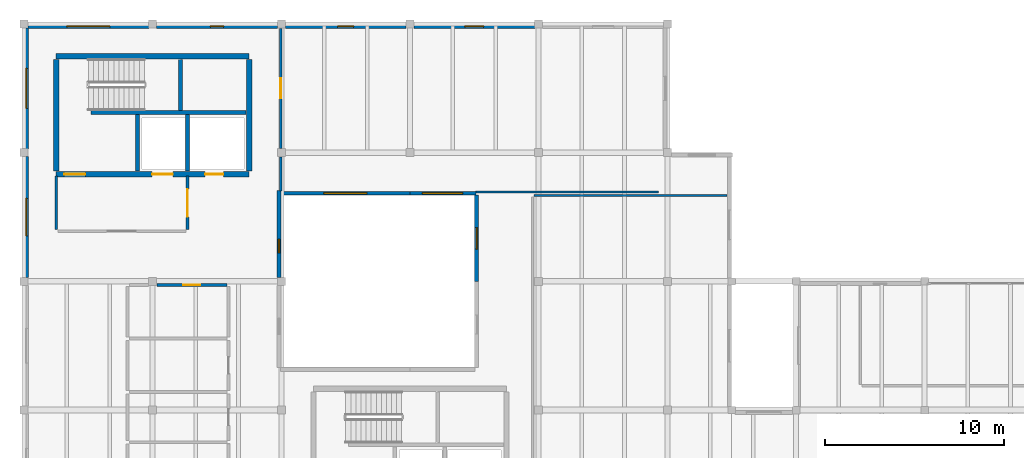
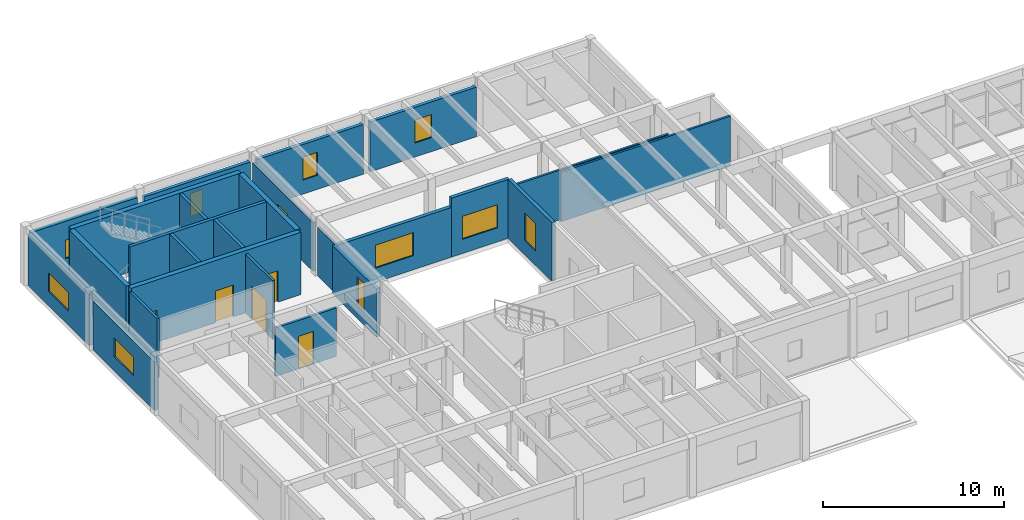
# One storey, part 59 of 68: 25 walls, 10 windows, 6 doors, 16 openings.
"""IFC4 building model written with IfcOpenShell, lengths in metres."""

from ifc_helpers import new_model, si_unit, direction, frame, frame_2d, origin, place, context, subcontext, project, spatial, rectangle, extrude, material, layer, layer_set, type_object, element, fill, save


model = new_model("IFC4")

# Units and contexts
model_context = context("Model", 3, precision=1e-05, world=origin(), true_north=direction((0.0, 1.0)))
body_context = subcontext(model_context, "Body", "Model", "MODEL_VIEW")
ifc_project = project(units=[si_unit("LENGTHUNIT", "METRE"), si_unit("AREAUNIT", "SQUARE_METRE"), si_unit("VOLUMEUNIT", "CUBIC_METRE"), si_unit("PLANEANGLEUNIT", "RADIAN"), si_unit("MASSUNIT", "GRAM", prefix="KILO")], contexts=[model_context])

# Site, building, storey
site_placement = place(None, origin())
site = spatial("IfcSite", under=ifc_project, at=site_placement, CompositionType="ELEMENT")
building_placement = place(site_placement, origin())
building = spatial("IfcBuilding", under=site, at=building_placement, Name="Bramvelor Terrace Health Centre", CompositionType="ELEMENT")
storey_placement = place(building_placement, frame((0.0, 0.0, 9.300048828125)))
storey = spatial("IfcBuildingStorey", under=building, at=storey_placement, Name="L03", CompositionType="ELEMENT", Elevation=9.300048828125)

# Walls
ifc_material_1 = material(Name="Acoustic clinical partition board", Category="gypsum")
ifc_layer_1 = layer(ifc_material_1, 0.1298828125)
ifc_layer_set_1 = layer_set([ifc_layer_1], Name="Acoustic clinical partition board")
wall_type_1 = type_object("IfcWallType", Name="WL-CLN-130", PredefinedType="PARTITIONING", material=ifc_layer_set_1)
wall_1_placement = place(storey_placement, frame((28.550048828125, 105.60009765625, 0.0), z_axis=(0.0, 0.0, 1.0), x_axis=(1.0, 0.0, 0.0)))
element("IfcWall", 1, at=wall_1_placement, inside=storey, type_object=wall_type_1, Name="L03 Interior Partition 256", PredefinedType="PARTITIONING", context=body_context, shape_type="SweptSolid", body=[
    extrude(rectangle(XDim=10.800048828125, YDim=0.1298828125, at=frame_2d((5.39990234375, 0.0))), origin(), (0.0, 0.0, 1.0), 3.349853515625),
])
wall_2_placement = place(storey_placement, frame((35.510009765625, 105.800048828125, 0.0), z_axis=(0.0, 0.0, 1.0), x_axis=(-1.0, 0.0, 0.0)))
element("IfcWall", 2, at=wall_2_placement, inside=storey, type_object=wall_type_1, Name="L03 Interior Partition 259", PredefinedType="PARTITIONING", context=body_context, shape_type="SweptSolid", body=[
    extrude(rectangle(XDim=10.24072265625, YDim=0.1298828125, at=frame_2d((5.120361328125, 0.0))), origin(), (0.0, 0.0, 1.0), 3.349853515625),
])
ifc_material_2 = material(Name="Fire-rated gypsum and mineral wool", Category="gypsum")
ifc_layer_2 = layer(ifc_material_2, 0.139892578125)
ifc_layer_set_2 = layer_set([ifc_layer_2], Name="Fire-rated gypsum and mineral wool")
wall_type_2 = type_object("IfcWallType", Name="WL-COR-140", PredefinedType="PARTITIONING", material=ifc_layer_set_2)
wall_3_placement = place(storey_placement, frame((14.3701171875, 105.868408203125, 0.0), z_axis=(0.0, 0.0, 1.0), x_axis=(0.0, 1.0, 0.0)))
element("IfcWall", 3, at=wall_3_placement, inside=storey, type_object=wall_type_2, Name="L03 Interior Partition 260", PredefinedType="PARTITIONING", context=body_context, shape_type="SweptSolid", body=[
    extrude(rectangle(XDim=1.8916015625, YDim=0.139892578125, at=frame_2d((0.94580078125, 0.0))), origin(), (0.0, 0.0, 1.0), 3.27001953125),
])

# Wall, opening, door
wall_4_placement = place(storey_placement, frame((14.3701171875, 108.239990234375, 0.0), z_axis=(0.0, 0.0, 1.0), x_axis=(0.0, 1.0, 0.0)))
wall_4 = element("IfcWall", 4, at=wall_4_placement, inside=storey, type_object=wall_type_2, Name="L03 Interior Partition 261", PredefinedType="PARTITIONING", context=body_context, shape_type="SweptSolid", body=[
    extrude(rectangle(XDim=6.7099609375, YDim=0.139892578125, at=frame_2d((3.35498046875, 0.0))), origin(), (0.0, 0.0, 1.0), 3.27001953125),
])
opening_1_placement = place(wall_4_placement, frame((2.794921875, 0.0, 0.0)))
opening_1 = element("IfcOpeningElement", 5, at=opening_1_placement, cuts=wall_4, Name="Opening FD-06", PredefinedType="OPENING", context=body_context, shape_type="SweptSolid", body=[
    extrude(rectangle(XDim=1.1201171875, YDim=2.139892578125, at=frame_2d((0.56005859375, 1.06982421875))), frame((0.0, 0.079833984375, 0.0), z_axis=(0.0, -1.0, 0.0), x_axis=(1.0, 0.0, 0.0)), (0.0, 0.0, 1.0), 0.159912109375),
])
ifc_material_3 = material(Name="Fire-rated steel and vision panel", Category="steel")
door_type_1 = type_object("IfcDoorType", Name="DR-FD60-112", OperationType="NOTDEFINED", PredefinedType="DOOR", material=ifc_material_3)
door_1_placement = place(opening_1_placement, origin())
door_1 = element("IfcDoor", 6, at=door_1_placement, inside=storey, type_object=door_type_1, Name="L03 Immunization Nurse Preparation Suite Fire Door", OperationType="SINGLE_SWING_LEFT", OverallHeight=2.139892578125, OverallWidth=1.1201171875, PredefinedType="DOOR", context=body_context, shape_type="SweptSolid", body=[
    extrude(rectangle(XDim=1.1201171875, YDim=2.139892578125, at=frame_2d((0.56005859375, 1.06982421875))), frame((0.0, 0.02490234375, 0.0), z_axis=(0.0, -1.0, 0.0), x_axis=(1.0, 0.0, 0.0)), (0.0, 0.0, 1.0), 0.050048828125),
])
fill(opening_1, door_1)

# Walls
ifc_material_4 = material(Name="Concrete C40/50", Category="concrete")
ifc_layer_3 = layer(ifc_material_4, 0.199951171875)
ifc_layer_set_3 = layer_set([ifc_layer_3], Name="Concrete C40/50")
wall_type_3 = type_object("IfcWallType", Name="WL-CORE-200", PredefinedType="SHEAR", material=ifc_layer_set_3)
wall_5_placement = place(storey_placement, frame((3.75, 110.25, 0.0), z_axis=(0.0, 0.0, 1.0), x_axis=(1.0, 0.0, 0.0)))
element("IfcWall", 7, at=wall_5_placement, inside=storey, type_object=wall_type_3, Name="C1 L03 Core Shear Wall", PredefinedType="SHEAR", context=body_context, shape_type="SweptSolid", body=[
    extrude(rectangle(XDim=8.669921875, YDim=0.199951171875, at=frame_2d((4.3349609375, 0.0))), origin(), (0.0, 0.0, 1.0), 4.199951171875),
])
wall_6_placement = place(storey_placement, frame((8.7548828125, 110.3701171875, 0.0), z_axis=(0.0, 0.0, 1.0), x_axis=(0.0, 1.0, 0.0)))
element("IfcWall", 8, at=wall_6_placement, inside=storey, type_object=wall_type_3, Name="C1 L03 Core Shear Wall", PredefinedType="SHEAR", context=body_context, shape_type="SweptSolid", body=[
    extrude(rectangle(XDim=2.849853515625, YDim=0.199951171875, at=frame_2d((1.4248046875, 0.0))), origin(), (0.0, 0.0, 1.0), 4.199951171875),
])
for number, where, z_axis, x_axis, name in (
    (9, (6.35009765625, 106.97998046875, 0.0), (0.0, 0.0, 1.0), (0.0, 1.0, 0.0), "C1 L03 Core Shear Wall"),
    (10, (9.14990234375, 106.97998046875, 0.0), (0.0, 0.0, 1.0), (0.0, 1.0, 0.0), "C1 L03 Lift Divider Wall"),
):
    element("IfcWall", number, at=place(storey_placement, frame(where, z_axis=z_axis, x_axis=x_axis)), inside=storey, type_object=wall_type_3, Name=name, PredefinedType="SHEAR", context=body_context, shape_type="SweptSolid", body=[
        extrude(rectangle(XDim=3.14990234375, YDim=0.199951171875, at=frame_2d((1.574951171875, 0.0))), origin(), (0.0, 0.0, 1.0), 4.199951171875),
    ])

# Wall, openings, doors
ifc_material_5 = material(Name="Concrete C40/50", Category="concrete")
ifc_layer_4 = layer(ifc_material_5, 0.300048828125)
ifc_layer_set_4 = layer_set([ifc_layer_4], Name="Concrete C40/50")
wall_type_4 = type_object("IfcWallType", Name="WL-CORE-300", PredefinedType="SHEAR", material=ifc_layer_set_4)
wall_7_placement = place(storey_placement, frame((1.800048828125, 106.800048828125, 0.0), z_axis=(0.0, 0.0, 1.0), x_axis=(1.0, 0.0, 0.0)))
wall_7 = element("IfcWall", 11, at=wall_7_placement, inside=storey, type_object=wall_type_4, Name="C1 L03 Core Shear Wall", PredefinedType="SHEAR", context=body_context, shape_type="SweptSolid", body=[
    extrude(rectangle(XDim=10.800048828125, YDim=0.300048828125, at=frame_2d((5.39990234375, 0.0))), origin(), (0.0, 0.0, 1.0), 4.199951171875),
])
opening_2_placement = place(wall_7_placement, frame((0.449951171875, 0.0, 0.0)))
opening_2 = element("IfcOpeningElement", 12, at=opening_2_placement, cuts=wall_7, Name="Opening FD-02", PredefinedType="OPENING", context=body_context, shape_type="SweptSolid", body=[
    extrude(rectangle(XDim=1.179931640625, YDim=2.159912109375, at=frame_2d((0.58984375, 1.080078125))), frame((0.0, 0.159912109375, 0.0), z_axis=(0.0, -1.0, 0.0), x_axis=(1.0, 0.0, 0.0)), (0.0, 0.0, 1.0), 0.320068359375),
])
opening_3_placement = place(wall_7_placement, frame((5.375, 0.0, 0.0)))
opening_3 = element("IfcOpeningElement", 13, at=opening_3_placement, cuts=wall_7, Name="Opening LD-1", PredefinedType="OPENING", context=body_context, shape_type="SweptSolid", body=[
    extrude(rectangle(XDim=1.14990234375, YDim=2.14990234375, at=frame_2d((0.574951171875, 1.074951171875))), frame((0.0, 0.159912109375, 0.0), z_axis=(0.0, -1.0, 0.0), x_axis=(1.0, 0.0, 0.0)), (0.0, 0.0, 1.0), 0.320068359375),
])
opening_4_placement = place(wall_7_placement, frame((8.340087890625, 0.0, 0.0)))
opening_4 = element("IfcOpeningElement", 14, at=opening_4_placement, cuts=wall_7, Name="Opening LD-2", PredefinedType="OPENING", context=body_context, shape_type="SweptSolid", body=[
    extrude(rectangle(XDim=1.02001953125, YDim=2.1201171875, at=frame_2d((0.510009765625, 1.06005859375))), frame((0.0, 0.159912109375, 0.0), z_axis=(0.0, -1.0, 0.0), x_axis=(1.0, 0.0, 0.0)), (0.0, 0.0, 1.0), 0.320068359375),
])
ifc_material_6 = material(Name="Fire-rated steel and vision panel", Category="steel")
door_type_2 = type_object("IfcDoorType", Name="DR-FD90-118", OperationType="NOTDEFINED", PredefinedType="DOOR", material=ifc_material_6)
door_2_placement = place(opening_2_placement, origin())
door_2 = element("IfcDoor", 15, at=door_2_placement, inside=storey, type_object=door_type_2, Name="C1 L03 Core Stair Fire Door", OperationType="SINGLE_SWING_LEFT", OverallHeight=2.159912109375, OverallWidth=1.179931640625, PredefinedType="DOOR", context=body_context, shape_type="SweptSolid", body=[
    extrude(rectangle(XDim=1.179931640625, YDim=2.159912109375, at=frame_2d((0.58984375, 1.080078125))), frame((0.0, 0.02490234375, 0.0), z_axis=(0.0, -1.0, 0.0), x_axis=(1.0, 0.0, 0.0)), (0.0, 0.0, 1.0), 0.050048828125),
])
fill(opening_2, door_2)
ifc_material_7 = material(Name="Brushed stainless steel 316", Category="steel")
door_type_3 = type_object("IfcDoorType", Name="DR-LIFT-FF115", OperationType="DOUBLE_DOOR_SLIDING", PredefinedType="DOOR", material=ifc_material_7)
door_3_placement = place(opening_3_placement, origin())
door_3 = element("IfcDoor", 16, at=door_3_placement, inside=storey, type_object=door_type_3, Name="Lift LF-01 L03 Sliding Landing Door", OperationType="DOUBLE_DOOR_SLIDING", OverallHeight=2.14990234375, OverallWidth=1.14990234375, PredefinedType="DOOR", context=body_context, shape_type="SweptSolid", body=[
    extrude(rectangle(XDim=1.14990234375, YDim=2.14990234375, at=frame_2d((0.574951171875, 1.074951171875))), frame((0.0, 0.02490234375, 0.0), z_axis=(0.0, -1.0, 0.0), x_axis=(1.0, 0.0, 0.0)), (0.0, 0.0, 1.0), 0.050048828125),
])
fill(opening_3, door_3)
ifc_material_8 = material(Name="Brushed stainless steel 316", Category="steel")
door_type_4 = type_object("IfcDoorType", Name="DR-LIFT-PS102", OperationType="SLIDING_TO_LEFT", PredefinedType="DOOR", material=ifc_material_8)
door_4_placement = place(opening_4_placement, origin())
door_4 = element("IfcDoor", 17, at=door_4_placement, inside=storey, type_object=door_type_4, Name="Lift LP-01 L03 Sliding Landing Door", OperationType="SLIDING_TO_LEFT", OverallHeight=2.1201171875, OverallWidth=1.02001953125, PredefinedType="DOOR", context=body_context, shape_type="SweptSolid", body=[
    extrude(rectangle(XDim=1.02001953125, YDim=2.1201171875, at=frame_2d((0.510009765625, 1.06005859375))), frame((0.0, 0.02490234375, 0.0), z_axis=(0.0, -1.0, 0.0), x_axis=(1.0, 0.0, 0.0)), (0.0, 0.0, 1.0), 0.050048828125),
])
fill(opening_4, door_4)

# Walls
wall_8_placement = place(storey_placement, frame((1.800048828125, 113.39990234375, 0.0), z_axis=(0.0, 0.0, 1.0), x_axis=(1.0, 0.0, 0.0)))
element("IfcWall", 18, at=wall_8_placement, inside=storey, type_object=wall_type_4, Name="C1 L03 Core Shear Wall", PredefinedType="SHEAR", context=body_context, shape_type="SweptSolid", body=[
    extrude(rectangle(XDim=10.800048828125, YDim=0.300048828125, at=frame_2d((5.39990234375, 0.0))), origin(), (0.0, 0.0, 1.0), 4.199951171875),
])
for number, where, z_axis, x_axis, name in (
    (19, (1.800048828125, 106.97998046875, 0.0), (0.0, 0.0, 1.0), (0.0, 1.0, 0.0), "C1 L03 Core Shear Wall"),
    (20, (12.60009765625, 106.97998046875, 0.0), (0.0, 0.0, 1.0), (0.0, 1.0, 0.0), "C1 L03 Core Shear Wall"),
):
    element("IfcWall", number, at=place(storey_placement, frame(where, z_axis=z_axis, x_axis=x_axis)), inside=storey, type_object=wall_type_4, Name=name, PredefinedType="SHEAR", context=body_context, shape_type="SweptSolid", body=[
        extrude(rectangle(XDim=6.239990234375, YDim=0.300048828125, at=frame_2d((3.1201171875, 0.0))), origin(), (0.0, 0.0, 1.0), 4.199951171875),
    ])

# Wall, opening, window
ifc_material_9 = material(Name="Cross-laminated timber C24", Category="wood")
ifc_layer_5 = layer(ifc_material_9, 0.219970703125)
ifc_layer_set_5 = layer_set([ifc_layer_5], Name="Cross-laminated timber C24")
wall_type_5 = type_object("IfcWallType", Name="WL-EXT-CLT220", PredefinedType="SOLIDWALL", material=ifc_layer_set_5)
wall_9_placement = place(storey_placement, frame((0.1298828125, 101.02001953125, 0.0), z_axis=(0.0, 0.0, 1.0), x_axis=(0.0, 1.0, 0.0)))
wall_9 = element("IfcWall", 21, at=wall_9_placement, inside=storey, type_object=wall_type_5, Name="L03 Exterior Facade Wall 74", PredefinedType="SOLIDWALL", context=body_context, shape_type="SweptSolid", body=[
    extrude(rectangle(XDim=6.760009765625, YDim=0.219970703125, at=frame_2d((3.3798828125, 0.0))), origin(), (0.0, 0.0, 1.0), 3.27001953125),
])
opening_5_placement = place(wall_9_placement, frame((2.330078125, 0.0, 0.949951171875)))
opening_5 = element("IfcOpeningElement", 22, at=opening_5_placement, cuts=wall_9, Name="Opening WN-34", PredefinedType="OPENING", context=body_context, shape_type="SweptSolid", body=[
    extrude(rectangle(XDim=2.10009765625, YDim=1.25, at=frame_2d((1.050048828125, 0.625))), frame((0.0, 0.119873046875, 0.0), z_axis=(0.0, -1.0, 0.0), x_axis=(1.0, 0.0, 0.0)), (0.0, 0.0, 1.0), 0.239990234375),
])
ifc_material_10 = material(Name="Double low-E laminated glass", Category="glass")
window_type_1 = type_object("IfcWindowType", Name="WIN-EXT-34", PartitioningType="SINGLE_PANEL", PredefinedType="WINDOW", material=ifc_material_10)
window_1_placement = place(opening_5_placement, origin())
window_1 = element("IfcWindow", 23, at=window_1_placement, inside=storey, type_object=window_type_1, Name="L03 Scheduled Clinical Window 154", OverallHeight=1.25, OverallWidth=2.10009765625, PartitioningType="SINGLE_PANEL", PredefinedType="WINDOW", context=body_context, shape_type="SweptSolid", body=[
    extrude(rectangle(XDim=2.10009765625, YDim=1.25, at=frame_2d((1.050048828125, 0.625))), frame((0.0, 0.030029296875, 0.0), z_axis=(0.0, -1.0, 0.0), x_axis=(1.0, 0.0, 0.0)), (0.0, 0.0, 1.0), 0.06005859375),
])
fill(opening_5, window_1)

wall_10_placement = place(storey_placement, frame((0.1298828125, 108.219970703125, 0.0), z_axis=(0.0, 0.0, 1.0), x_axis=(0.0, 1.0, 0.0)))
wall_10 = element("IfcWall", 24, at=wall_10_placement, inside=storey, type_object=wall_type_5, Name="L03 Exterior Facade Wall 75", PredefinedType="SOLIDWALL", context=body_context, shape_type="SweptSolid", body=[
    extrude(rectangle(XDim=6.760009765625, YDim=0.219970703125, at=frame_2d((3.3798828125, 0.0))), origin(), (0.0, 0.0, 1.0), 3.469970703125),
])
opening_6_placement = place(wall_10_placement, frame((2.2548828125, 0.0, 0.949951171875)))
opening_6 = element("IfcOpeningElement", 25, at=opening_6_placement, cuts=wall_10, Name="Opening WN-35", PredefinedType="OPENING", context=body_context, shape_type="SweptSolid", body=[
    extrude(rectangle(XDim=2.25, YDim=1.25, at=frame_2d((1.125, 0.625))), frame((0.0, 0.119873046875, 0.0), z_axis=(0.0, -1.0, 0.0), x_axis=(1.0, 0.0, 0.0)), (0.0, 0.0, 1.0), 0.239990234375),
])
ifc_material_11 = material(Name="Double low-E laminated glass", Category="glass")
window_type_2 = type_object("IfcWindowType", Name="WIN-EXT-35", PartitioningType="SINGLE_PANEL", PredefinedType="WINDOW", material=ifc_material_11)
window_2_placement = place(opening_6_placement, origin())
window_2 = element("IfcWindow", 26, at=window_2_placement, inside=storey, type_object=window_type_2, Name="L03 Scheduled Clinical Window 155", OverallHeight=1.25, OverallWidth=2.25, PartitioningType="SINGLE_PANEL", PredefinedType="WINDOW", context=body_context, shape_type="SweptSolid", body=[
    extrude(rectangle(XDim=2.25, YDim=1.25, at=frame_2d((1.125, 0.625))), frame((0.0, 0.030029296875, 0.0), z_axis=(0.0, -1.0, 0.0), x_axis=(1.0, 0.0, 0.0)), (0.0, 0.0, 1.0), 0.06005859375),
])
fill(opening_6, window_2)

wall_11_placement = place(storey_placement, frame((0.219970703125, 115.070068359375, 0.0), z_axis=(0.0, 0.0, 1.0), x_axis=(1.0, 0.0, 0.0)))
wall_11 = element("IfcWall", 27, at=wall_11_placement, inside=storey, type_object=wall_type_5, Name="L03 Exterior Facade Wall 76", PredefinedType="SOLIDWALL", context=body_context, shape_type="SweptSolid", body=[
    extrude(rectangle(XDim=6.760009765625, YDim=0.219970703125, at=frame_2d((3.3798828125, 0.0))), origin(), (0.0, 0.0, 1.0), 3.469970703125),
])
opening_7_placement = place(wall_11_placement, frame((2.179931640625, 0.0, 0.949951171875)))
opening_7 = element("IfcOpeningElement", 28, at=opening_7_placement, cuts=wall_11, Name="Opening WN-36", PredefinedType="OPENING", context=body_context, shape_type="SweptSolid", body=[
    extrude(rectangle(XDim=2.39990234375, YDim=1.25, at=frame_2d((1.199951171875, 0.625))), frame((0.0, 0.119873046875, 0.0), z_axis=(0.0, -1.0, 0.0), x_axis=(1.0, 0.0, 0.0)), (0.0, 0.0, 1.0), 0.239990234375),
])
ifc_material_12 = material(Name="Double low-E laminated glass", Category="glass")
window_type_3 = type_object("IfcWindowType", Name="WIN-EXT-36", PartitioningType="SINGLE_PANEL", PredefinedType="WINDOW", material=ifc_material_12)
window_3_placement = place(opening_7_placement, origin())
window_3 = element("IfcWindow", 29, at=window_3_placement, inside=storey, type_object=window_type_3, Name="L03 Scheduled Clinical Window 156", OverallHeight=1.25, OverallWidth=2.39990234375, PartitioningType="SINGLE_PANEL", PredefinedType="WINDOW", context=body_context, shape_type="SweptSolid", body=[
    extrude(rectangle(XDim=2.39990234375, YDim=1.25, at=frame_2d((1.199951171875, 0.625))), frame((0.0, 0.030029296875, 0.0), z_axis=(0.0, -1.0, 0.0), x_axis=(1.0, 0.0, 0.0)), (0.0, 0.0, 1.0), 0.06005859375),
])
fill(opening_7, window_3)

wall_12_placement = place(storey_placement, frame((7.419921875, 115.070068359375, 0.0), z_axis=(0.0, 0.0, 1.0), x_axis=(1.0, 0.0, 0.0)))
wall_12 = element("IfcWall", 30, at=wall_12_placement, inside=storey, type_object=wall_type_5, Name="L03 Exterior Facade Wall 77", PredefinedType="SOLIDWALL", context=body_context, shape_type="SweptSolid", body=[
    extrude(rectangle(XDim=6.760009765625, YDim=0.219970703125, at=frame_2d((3.3798828125, 0.0))), origin(), (0.0, 0.0, 1.0), 3.349853515625),
])
opening_8_placement = place(wall_12_placement, frame((3.0048828125, 0.0, 0.949951171875)))
opening_8 = element("IfcOpeningElement", 31, at=opening_8_placement, cuts=wall_12, Name="Opening WN-37", PredefinedType="OPENING", context=body_context, shape_type="SweptSolid", body=[
    extrude(rectangle(XDim=0.75, YDim=1.550048828125, at=frame_2d((0.375, 0.77490234375))), frame((0.0, 0.119873046875, 0.0), z_axis=(0.0, -1.0, 0.0), x_axis=(1.0, 0.0, 0.0)), (0.0, 0.0, 1.0), 0.239990234375),
])
ifc_material_13 = material(Name="Double low-E laminated glass", Category="glass")
window_type_4 = type_object("IfcWindowType", Name="WIN-EXT-37", PartitioningType="SINGLE_PANEL", PredefinedType="WINDOW", material=ifc_material_13)
window_4_placement = place(opening_8_placement, origin())
window_4 = element("IfcWindow", 32, at=window_4_placement, inside=storey, type_object=window_type_4, Name="L03 Scheduled Clinical Window 157", OverallHeight=1.550048828125, OverallWidth=0.75, PartitioningType="SINGLE_PANEL", PredefinedType="WINDOW", context=body_context, shape_type="SweptSolid", body=[
    extrude(rectangle(XDim=0.75, YDim=1.550048828125, at=frame_2d((0.375, 0.77490234375))), frame((0.0, 0.030029296875, 0.0), z_axis=(0.0, -1.0, 0.0), x_axis=(1.0, 0.0, 0.0)), (0.0, 0.0, 1.0), 0.06005859375),
])
fill(opening_8, window_4)

wall_13_placement = place(storey_placement, frame((14.6201171875, 115.070068359375, 0.0), z_axis=(0.0, 0.0, 1.0), x_axis=(1.0, 0.0, 0.0)))
wall_13 = element("IfcWall", 33, at=wall_13_placement, inside=storey, type_object=wall_type_5, Name="L03 Exterior Facade Wall 78", PredefinedType="SOLIDWALL", context=body_context, shape_type="SweptSolid", body=[
    extrude(rectangle(XDim=6.759765625, YDim=0.219970703125, at=frame_2d((3.3798828125, 0.0))), origin(), (0.0, 0.0, 1.0), 3.349853515625),
])
opening_9_placement = place(wall_13_placement, frame((2.929931640625, 0.0, 0.949951171875)))
opening_9 = element("IfcOpeningElement", 34, at=opening_9_placement, cuts=wall_13, Name="Opening WN-38", PredefinedType="OPENING", context=body_context, shape_type="SweptSolid", body=[
    extrude(rectangle(XDim=0.89990234375, YDim=1.550048828125, at=frame_2d((0.449951171875, 0.77490234375))), frame((0.0, 0.119873046875, 0.0), z_axis=(0.0, -1.0, 0.0), x_axis=(1.0, 0.0, 0.0)), (0.0, 0.0, 1.0), 0.239990234375),
])
ifc_material_14 = material(Name="Double low-E laminated glass", Category="glass")
window_type_5 = type_object("IfcWindowType", Name="WIN-EXT-38", PartitioningType="SINGLE_PANEL", PredefinedType="WINDOW", material=ifc_material_14)
window_5_placement = place(opening_9_placement, origin())
window_5 = element("IfcWindow", 35, at=window_5_placement, inside=storey, type_object=window_type_5, Name="L03 Scheduled Clinical Window 158", OverallHeight=1.550048828125, OverallWidth=0.89990234375, PartitioningType="SINGLE_PANEL", PredefinedType="WINDOW", context=body_context, shape_type="SweptSolid", body=[
    extrude(rectangle(XDim=0.89990234375, YDim=1.550048828125, at=frame_2d((0.449951171875, 0.77490234375))), frame((0.0, 0.030029296875, 0.0), z_axis=(0.0, -1.0, 0.0), x_axis=(1.0, 0.0, 0.0)), (0.0, 0.0, 1.0), 0.06005859375),
])
fill(opening_9, window_5)

wall_14_placement = place(storey_placement, frame((21.820068359375, 115.070068359375, 0.0), z_axis=(0.0, 0.0, 1.0), x_axis=(1.0, 0.0, 0.0)))
wall_14 = element("IfcWall", 36, at=wall_14_placement, inside=storey, type_object=wall_type_5, Name="L03 Exterior Facade Wall 79", PredefinedType="SOLIDWALL", context=body_context, shape_type="SweptSolid", body=[
    extrude(rectangle(XDim=6.760009765625, YDim=0.219970703125, at=frame_2d((3.3798828125, 0.0))), origin(), (0.0, 0.0, 1.0), 3.349853515625),
])
opening_10_placement = place(wall_14_placement, frame((2.85498046875, 0.0, 0.949951171875)))
opening_10 = element("IfcOpeningElement", 37, at=opening_10_placement, cuts=wall_14, Name="Opening WN-39", PredefinedType="OPENING", context=body_context, shape_type="SweptSolid", body=[
    extrude(rectangle(XDim=1.050048828125, YDim=1.550048828125, at=frame_2d((0.52490234375, 0.77490234375))), frame((0.0, 0.119873046875, 0.0), z_axis=(0.0, -1.0, 0.0), x_axis=(1.0, 0.0, 0.0)), (0.0, 0.0, 1.0), 0.239990234375),
])
ifc_material_15 = material(Name="Double low-E laminated glass", Category="glass")
window_type_6 = type_object("IfcWindowType", Name="WIN-EXT-39", PartitioningType="SINGLE_PANEL", PredefinedType="WINDOW", material=ifc_material_15)
window_6_placement = place(opening_10_placement, origin())
window_6 = element("IfcWindow", 38, at=window_6_placement, inside=storey, type_object=window_type_6, Name="L03 Scheduled Clinical Window 159", OverallHeight=1.550048828125, OverallWidth=1.050048828125, PartitioningType="SINGLE_PANEL", PredefinedType="WINDOW", context=body_context, shape_type="SweptSolid", body=[
    extrude(rectangle(XDim=1.050048828125, YDim=1.550048828125, at=frame_2d((0.52490234375, 0.77490234375))), frame((0.0, 0.030029296875, 0.0), z_axis=(0.0, -1.0, 0.0), x_axis=(1.0, 0.0, 0.0)), (0.0, 0.0, 1.0), 0.06005859375),
])
fill(opening_10, window_6)

wall_15_placement = place(storey_placement, frame((25.281005859375, 105.72998046875, 0.0), z_axis=(0.0, 0.0, 1.0), x_axis=(-1.0, 0.0, 0.0)))
wall_15 = element("IfcWall", 39, at=wall_15_placement, inside=storey, type_object=wall_type_5, Name="L03 Exterior Facade Wall 87", PredefinedType="SOLIDWALL", context=body_context, shape_type="SweptSolid", body=[
    extrude(rectangle(XDim=3.680908203125, YDim=0.219970703125, at=frame_2d((1.84033203125, 0.0))), origin(), (0.0, 0.0, 1.0), 3.969970703125),
])
opening_11_placement = place(wall_15_placement, frame((0.736083984375, 0.0, 0.949951171875)))
opening_11 = element("IfcOpeningElement", 40, at=opening_11_placement, cuts=wall_15, Name="Opening WN-47", PredefinedType="OPENING", context=body_context, shape_type="SweptSolid", body=[
    extrude(rectangle(XDim=2.25, YDim=1.550048828125, at=frame_2d((1.125, 0.77490234375))), frame((0.0, 0.119873046875, 0.0), z_axis=(0.0, -1.0, 0.0), x_axis=(1.0, 0.0, 0.0)), (0.0, 0.0, 1.0), 0.239990234375),
])
ifc_material_16 = material(Name="Double low-E laminated glass", Category="glass")
window_type_7 = type_object("IfcWindowType", Name="WIN-EXT-47", PartitioningType="SINGLE_PANEL", PredefinedType="WINDOW", material=ifc_material_16)
window_7_placement = place(opening_11_placement, origin())
window_7 = element("IfcWindow", 41, at=window_7_placement, inside=storey, type_object=window_type_7, Name="L03 Scheduled Clinical Window 167", OverallHeight=1.550048828125, OverallWidth=2.25, PartitioningType="SINGLE_PANEL", PredefinedType="WINDOW", context=body_context, shape_type="SweptSolid", body=[
    extrude(rectangle(XDim=2.25, YDim=1.550048828125, at=frame_2d((1.125, 0.77490234375))), frame((0.0, 0.030029296875, 0.0), z_axis=(0.0, -1.0, 0.0), x_axis=(1.0, 0.0, 0.0)), (0.0, 0.0, 1.0), 0.06005859375),
])
fill(opening_11, window_7)

wall_16_placement = place(storey_placement, frame((21.60009765625, 105.72998046875, 0.0), z_axis=(0.0, 0.0, 1.0), x_axis=(-1.0, 0.0, 0.0)))
wall_16 = element("IfcWall", 42, at=wall_16_placement, inside=storey, type_object=wall_type_5, Name="L03 Exterior Facade Wall 88", PredefinedType="SOLIDWALL", context=body_context, shape_type="SweptSolid", body=[
    extrude(rectangle(XDim=7.239990234375, YDim=0.219970703125, at=frame_2d((3.6201171875, 0.0))), origin(), (0.0, 0.0, 1.0), 3.349853515625),
])
opening_12_placement = place(wall_16_placement, frame((2.419921875, 0.0, 0.949951171875)))
opening_12 = element("IfcOpeningElement", 43, at=opening_12_placement, cuts=wall_16, Name="Opening WN-48", PredefinedType="OPENING", context=body_context, shape_type="SweptSolid", body=[
    extrude(rectangle(XDim=2.39990234375, YDim=1.550048828125, at=frame_2d((1.199951171875, 0.77490234375))), frame((0.0, 0.119873046875, 0.0), z_axis=(0.0, -1.0, 0.0), x_axis=(1.0, 0.0, 0.0)), (0.0, 0.0, 1.0), 0.239990234375),
])
ifc_material_17 = material(Name="Double low-E laminated glass", Category="glass")
window_type_8 = type_object("IfcWindowType", Name="WIN-EXT-48", PartitioningType="SINGLE_PANEL", PredefinedType="WINDOW", material=ifc_material_17)
window_8_placement = place(opening_12_placement, origin())
window_8 = element("IfcWindow", 44, at=window_8_placement, inside=storey, type_object=window_type_8, Name="L03 Scheduled Clinical Window 168", OverallHeight=1.550048828125, OverallWidth=2.39990234375, PartitioningType="SINGLE_PANEL", PredefinedType="WINDOW", context=body_context, shape_type="SweptSolid", body=[
    extrude(rectangle(XDim=2.39990234375, YDim=1.550048828125, at=frame_2d((1.199951171875, 0.77490234375))), frame((0.0, 0.030029296875, 0.0), z_axis=(0.0, -1.0, 0.0), x_axis=(1.0, 0.0, 0.0)), (0.0, 0.0, 1.0), 0.06005859375),
])
fill(opening_12, window_8)

wall_17_placement = place(storey_placement, frame((14.27001953125, 105.881103515625, 0.0), z_axis=(0.0, 0.0, 1.0), x_axis=(0.0, -1.0, 0.0)))
wall_17 = element("IfcWall", 45, at=wall_17_placement, inside=storey, type_object=wall_type_5, Name="L03 Exterior Facade Wall 89", PredefinedType="SOLIDWALL", context=body_context, shape_type="SweptSolid", body=[
    extrude(rectangle(XDim=4.861083984375, YDim=0.219970703125, at=frame_2d((2.4306640625, 0.0))), origin(), (0.0, 0.0, 1.0), 3.27001953125),
])
opening_13_placement = place(wall_17_placement, frame((2.736083984375, 0.0, 0.949951171875)))
opening_13 = element("IfcOpeningElement", 46, at=opening_13_placement, cuts=wall_17, Name="Opening WN-49", PredefinedType="OPENING", context=body_context, shape_type="SweptSolid", body=[
    extrude(rectangle(XDim=0.75, YDim=1.85009765625, at=frame_2d((0.375, 0.925048828125))), frame((0.0, 0.119873046875, 0.0), z_axis=(0.0, -1.0, 0.0), x_axis=(1.0, 0.0, 0.0)), (0.0, 0.0, 1.0), 0.239990234375),
])
ifc_material_18 = material(Name="Double low-E laminated glass", Category="glass")
window_type_9 = type_object("IfcWindowType", Name="WIN-EXT-49", PartitioningType="SINGLE_PANEL", PredefinedType="WINDOW", material=ifc_material_18)
window_9_placement = place(opening_13_placement, origin())
window_9 = element("IfcWindow", 47, at=window_9_placement, inside=storey, type_object=window_type_9, Name="L03 Scheduled Clinical Window 169", OverallHeight=1.85009765625, OverallWidth=0.75, PartitioningType="SINGLE_PANEL", PredefinedType="WINDOW", context=body_context, shape_type="SweptSolid", body=[
    extrude(rectangle(XDim=0.75, YDim=1.85009765625, at=frame_2d((0.375, 0.925048828125))), frame((0.0, 0.030029296875, 0.0), z_axis=(0.0, -1.0, 0.0), x_axis=(1.0, 0.0, 0.0)), (0.0, 0.0, 1.0), 0.06005859375),
])
fill(opening_13, window_9)

wall_18_placement = place(storey_placement, frame((25.330078125, 100.800048828125, 0.0), z_axis=(0.0, 0.0, 1.0), x_axis=(0.0, 1.0, 0.0)))
wall_18 = element("IfcWall", 48, at=wall_18_placement, inside=storey, type_object=wall_type_5, Name="L03 Exterior Facade Wall 94", PredefinedType="SOLIDWALL", context=body_context, shape_type="SweptSolid", body=[
    extrude(rectangle(XDim=4.820068359375, YDim=0.219970703125, at=frame_2d((2.41015625, 0.0))), origin(), (0.0, 0.0, 1.0), 3.969970703125),
])
opening_14_placement = place(wall_18_placement, frame((1.81005859375, 0.0, 0.949951171875)))
opening_14 = element("IfcOpeningElement", 49, at=opening_14_placement, cuts=wall_18, Name="Opening WN-52", PredefinedType="OPENING", context=body_context, shape_type="SweptSolid", body=[
    extrude(rectangle(XDim=1.199951171875, YDim=1.85009765625, at=frame_2d((0.60009765625, 0.925048828125))), frame((0.0, 0.119873046875, 0.0), z_axis=(0.0, -1.0, 0.0), x_axis=(1.0, 0.0, 0.0)), (0.0, 0.0, 1.0), 0.239990234375),
])
ifc_material_19 = material(Name="Double low-E laminated glass", Category="glass")
window_type_10 = type_object("IfcWindowType", Name="WIN-EXT-52", PartitioningType="SINGLE_PANEL", PredefinedType="WINDOW", material=ifc_material_19)
window_10_placement = place(opening_14_placement, origin())
window_10 = element("IfcWindow", 50, at=window_10_placement, inside=storey, type_object=window_type_10, Name="L03 Scheduled Clinical Window 172", OverallHeight=1.85009765625, OverallWidth=1.199951171875, PartitioningType="SINGLE_PANEL", PredefinedType="WINDOW", context=body_context, shape_type="SweptSolid", body=[
    extrude(rectangle(XDim=1.199951171875, YDim=1.85009765625, at=frame_2d((0.60009765625, 0.925048828125))), frame((0.0, 0.030029296875, 0.0), z_axis=(0.0, -1.0, 0.0), x_axis=(1.0, 0.0, 0.0)), (0.0, 0.0, 1.0), 0.06005859375),
])
fill(opening_14, window_10)

# Wall
ifc_material_20 = material(Name="Fire-rated gypsum and mineral wool", Category="gypsum")
ifc_layer_6 = layer(ifc_material_20, 0.14990234375)
ifc_layer_set_6 = layer_set([ifc_layer_6], Name="Fire-rated gypsum and mineral wool")
wall_type_6 = type_object("IfcWallType", Name="WL-FIR-150", PredefinedType="PARTITIONING", material=ifc_layer_set_6)
wall_19_placement = place(storey_placement, frame((1.800048828125, 103.68994140625, 0.0), z_axis=(0.0, 0.0, 1.0), x_axis=(0.0, 1.0, 0.0)))
element("IfcWall", 51, at=wall_19_placement, inside=storey, type_object=wall_type_6, Name="L03 Interior Partition 221", PredefinedType="PARTITIONING", context=body_context, shape_type="SweptSolid", body=[
    extrude(rectangle(XDim=3.01513671875, YDim=0.14990234375, at=frame_2d((1.507568359375, 0.0))), origin(), (0.0, 0.0, 1.0), 3.969970703125),
])

# Wall, opening, door
wall_20_placement = place(storey_placement, frame((9.14990234375, 106.68310546875, 0.0), z_axis=(0.0, 0.0, 1.0), x_axis=(0.0, -1.0, 0.0)))
wall_20 = element("IfcWall", 52, at=wall_20_placement, inside=storey, type_object=wall_type_6, Name="L03 Interior Partition 222", PredefinedType="PARTITIONING", context=body_context, shape_type="SweptSolid", body=[
    extrude(rectangle(XDim=2.9931640625, YDim=0.14990234375, at=frame_2d((1.49658203125, 0.0))), origin(), (0.0, 0.0, 1.0), 3.969970703125),
])
opening_15_placement = place(wall_20_placement, frame((0.716552734375, 0.0, 0.0)))
opening_15 = element("IfcOpeningElement", 53, at=opening_15_placement, cuts=wall_20, Name="Opening FD-03", PredefinedType="OPENING", context=body_context, shape_type="SweptSolid", body=[
    extrude(rectangle(XDim=1.56005859375, YDim=2.219970703125, at=frame_2d((0.780029296875, 1.10986328125))), frame((0.0, 0.0849609375, 0.0), z_axis=(0.0, -1.0, 0.0), x_axis=(1.0, 0.0, 0.0)), (0.0, 0.0, 1.0), 0.169921875),
])
ifc_material_21 = material(Name="Fire-rated steel and vision panel", Category="steel")
door_type_5 = type_object("IfcDoorType", Name="DR-FD90-156", OperationType="DOUBLE_DOOR_SINGLE_SWING", PredefinedType="DOOR", material=ifc_material_21)
door_5_placement = place(opening_15_placement, origin())
door_5 = element("IfcDoor", 54, at=door_5_placement, inside=storey, type_object=door_type_5, Name="L03 Fire Compartment Lobby Door 87", OperationType="DOUBLE_DOOR_SINGLE_SWING", OverallHeight=2.219970703125, OverallWidth=1.56005859375, PredefinedType="DOOR", context=body_context, shape_type="SweptSolid", body=[
    extrude(rectangle(XDim=1.56005859375, YDim=2.219970703125, at=frame_2d((0.780029296875, 1.10986328125))), frame((0.0, 0.02490234375, 0.0), z_axis=(0.0, -1.0, 0.0), x_axis=(1.0, 0.0, 0.0)), (0.0, 0.0, 1.0), 0.050048828125),
])
fill(opening_15, door_5)

ifc_material_22 = material(Name="Moisture-resistant service chase board", Category="gypsum")
ifc_layer_7 = layer(ifc_material_22, 0.159912109375)
ifc_layer_set_7 = layer_set([ifc_layer_7], Name="Moisture-resistant service chase board")
wall_type_7 = type_object("IfcWallType", Name="WL-PLM-160", PredefinedType="PLUMBINGWALL", material=ifc_layer_set_7)
wall_21_placement = place(storey_placement, frame((7.43994140625, 100.597900390625, 0.0), z_axis=(0.0, 0.0, 1.0), x_axis=(1.0, 0.0, 0.0)))
wall_21 = element("IfcWall", 55, at=wall_21_placement, inside=storey, type_object=wall_type_7, Name="L03 Interior Partition 231", PredefinedType="PLUMBINGWALL", context=body_context, shape_type="SweptSolid", body=[
    extrude(rectangle(XDim=3.91015625, YDim=0.159912109375, at=frame_2d((1.955078125, 0.0))), origin(), (0.0, 0.0, 1.0), 3.27001953125),
])
opening_16_placement = place(wall_21_placement, frame((1.47509765625, 0.0, 0.0)))
opening_16 = element("IfcOpeningElement", 56, at=opening_16_placement, cuts=wall_21, Name="Opening ID-C11", PredefinedType="OPENING", context=body_context, shape_type="SweptSolid", body=[
    extrude(rectangle(XDim=0.9599609375, YDim=2.199951171875, at=frame_2d((0.47998046875, 1.10009765625))), frame((0.0, 0.08984375, 0.0), z_axis=(0.0, -1.0, 0.0), x_axis=(1.0, 0.0, 0.0)), (0.0, 0.0, 1.0), 0.179931640625),
])
ifc_material_23 = material(Name="Solid-core acoustic timber laminate", Category="wood")
door_type_6 = type_object("IfcDoorType", Name="DR-CLN-11", OperationType="NOTDEFINED", PredefinedType="DOOR", material=ifc_material_23)
door_6_placement = place(opening_16_placement, origin())
door_6 = element("IfcDoor", 57, at=door_6_placement, inside=storey, type_object=door_type_6, Name="L03 Accessible Male WC Clinical Door", OperationType="SINGLE_SWING_RIGHT", OverallHeight=2.199951171875, OverallWidth=0.9599609375, PredefinedType="DOOR", context=body_context, shape_type="SweptSolid", body=[
    extrude(rectangle(XDim=0.9599609375, YDim=2.199951171875, at=frame_2d((0.47998046875, 1.10009765625))), frame((0.0, 0.02490234375, 0.0), z_axis=(0.0, -1.0, 0.0), x_axis=(1.0, 0.0, 0.0)), (0.0, 0.0, 1.0), 0.050048828125),
])
fill(opening_16, door_6)

save(model, "model.ifc")
